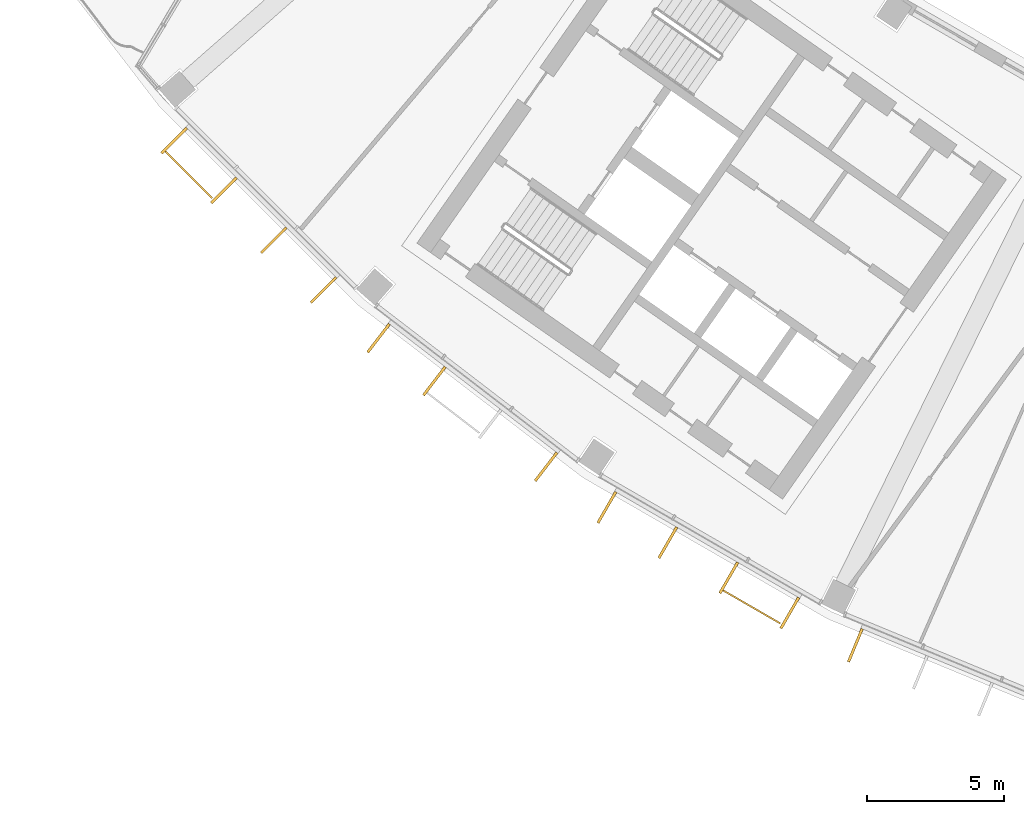
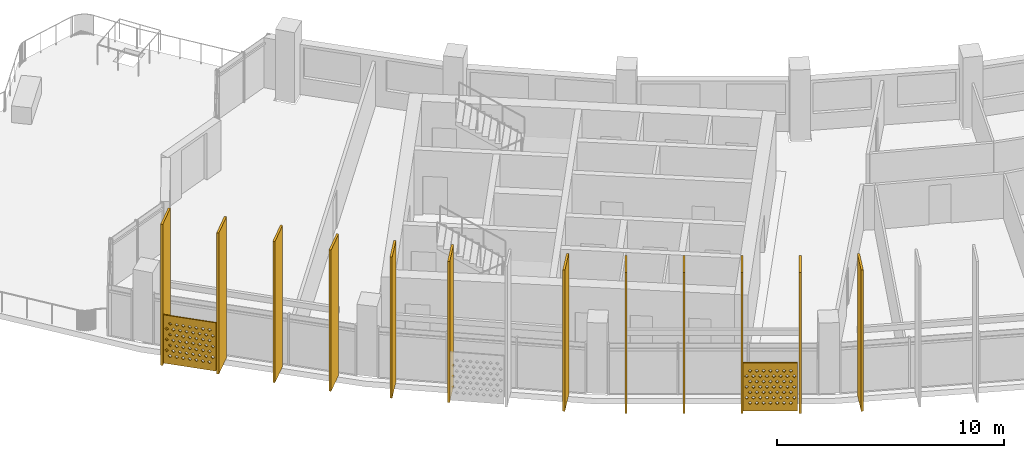
# One storey, part 21 of 29: 14 shading devices.
"""IFC4 building model written with IfcOpenShell, lengths in metres."""

from ifc_helpers import new_model, si_unit, direction, frame, origin, origin_2d, place, context, subcontext, project, spatial, polyline, rectangle, outline, extrude, material, material_profile, profile_set, type_object, element, save


model = new_model("IFC4")

# Units and contexts
model_context = context("Model", 3, precision=1e-05, world=origin(), true_north=direction((0.0, 1.0)))
body_context = subcontext(model_context, "Body", "Model", "MODEL_VIEW")
ifc_project = project(units=[si_unit("LENGTHUNIT", "METRE"), si_unit("AREAUNIT", "SQUARE_METRE"), si_unit("VOLUMEUNIT", "CUBIC_METRE"), si_unit("PLANEANGLEUNIT", "RADIAN"), si_unit("MASSUNIT", "GRAM", prefix="KILO")], contexts=[model_context])

# Site, building, storey
site_placement = place(None, origin())
site = spatial("IfcSite", under=ifc_project, at=site_placement, CompositionType="ELEMENT")
building_placement = place(site_placement, origin())
building = spatial("IfcBuilding", under=site, at=building_placement, Name="Qamariyya Broadcast Tower", CompositionType="ELEMENT")
storey_placement = place(building_placement, frame((0.0, 0.0, 258.10009765625)))
storey = spatial("IfcBuildingStorey", under=building, at=storey_placement, Name="L62", CompositionType="ELEMENT", Elevation=258.10009765625)

# Shading devices
ifc_material_1 = material(Name="Perforated glazed terracotta", Category="masonry")
ifc_material_profile_1 = material_profile(ifc_material_1, outline(polyline([(-1.199951171875, -1.300048828125), (1.199951171875, -1.300048828125), (1.199951171875, 1.300048828125), (-1.199951171875, 1.300048828125), (-1.199951171875, -1.300048828125)]), holes=[polyline([(-0.81494140625, -0.86669921875), (-0.89990234375, -0.78173828125), (-0.985107421875, -0.86669921875), (-0.89990234375, -0.95166015625), (-0.81494140625, -0.86669921875)]), polyline([(-0.514892578125, -0.86669921875), (-0.60009765625, -0.78173828125), (-0.68505859375, -0.86669921875), (-0.60009765625, -0.95166015625), (-0.514892578125, -0.86669921875)]), polyline([(-0.215087890625, -0.86669921875), (-0.300048828125, -0.78173828125), (-0.385009765625, -0.86669921875), (-0.300048828125, -0.95166015625), (-0.215087890625, -0.86669921875)]), polyline([(0.0849609375, -0.86669921875), (0.0, -0.78173828125), (-0.0849609375, -0.86669921875), (0.0, -0.95166015625), (0.0849609375, -0.86669921875)]), polyline([(0.385009765625, -0.86669921875), (0.300048828125, -0.78173828125), (0.215087890625, -0.86669921875), (0.300048828125, -0.95166015625), (0.385009765625, -0.86669921875)]), polyline([(0.68505859375, -0.86669921875), (0.60009765625, -0.78173828125), (0.514892578125, -0.86669921875), (0.60009765625, -0.95166015625), (0.68505859375, -0.86669921875)]), polyline([(0.985107421875, -0.86669921875), (0.89990234375, -0.78173828125), (0.81494140625, -0.86669921875), (0.89990234375, -0.95166015625), (0.985107421875, -0.86669921875)]), polyline([(-0.965087890625, -0.577880859375), (-1.050048828125, -0.49267578125), (-1.135009765625, -0.577880859375), (-1.050048828125, -0.662841796875), (-0.965087890625, -0.577880859375)]), polyline([(-0.6650390625, -0.577880859375), (-0.75, -0.49267578125), (-0.8349609375, -0.577880859375), (-0.75, -0.662841796875), (-0.6650390625, -0.577880859375)]), polyline([(-0.364990234375, -0.577880859375), (-0.449951171875, -0.49267578125), (-0.534912109375, -0.577880859375), (-0.449951171875, -0.662841796875), (-0.364990234375, -0.577880859375)]), polyline([(-0.06494140625, -0.577880859375), (-0.14990234375, -0.49267578125), (-0.235107421875, -0.577880859375), (-0.14990234375, -0.662841796875), (-0.06494140625, -0.577880859375)]), polyline([(0.235107421875, -0.577880859375), (0.14990234375, -0.49267578125), (0.06494140625, -0.577880859375), (0.14990234375, -0.662841796875), (0.235107421875, -0.577880859375)]), polyline([(0.534912109375, -0.577880859375), (0.449951171875, -0.49267578125), (0.364990234375, -0.577880859375), (0.449951171875, -0.662841796875), (0.534912109375, -0.577880859375)]), polyline([(0.8349609375, -0.577880859375), (0.75, -0.49267578125), (0.6650390625, -0.577880859375), (0.75, -0.662841796875), (0.8349609375, -0.577880859375)]), polyline([(1.135009765625, -0.577880859375), (1.050048828125, -0.49267578125), (0.965087890625, -0.577880859375), (1.050048828125, -0.662841796875), (1.135009765625, -0.577880859375)]), polyline([(-0.81494140625, -0.288818359375), (-0.89990234375, -0.203857421875), (-0.985107421875, -0.288818359375), (-0.89990234375, -0.373779296875), (-0.81494140625, -0.288818359375)]), polyline([(-0.514892578125, -0.288818359375), (-0.60009765625, -0.203857421875), (-0.68505859375, -0.288818359375), (-0.60009765625, -0.373779296875), (-0.514892578125, -0.288818359375)]), polyline([(-0.215087890625, -0.288818359375), (-0.300048828125, -0.203857421875), (-0.385009765625, -0.288818359375), (-0.300048828125, -0.373779296875), (-0.215087890625, -0.288818359375)]), polyline([(0.0849609375, -0.288818359375), (0.0, -0.203857421875), (-0.0849609375, -0.288818359375), (0.0, -0.373779296875), (0.0849609375, -0.288818359375)]), polyline([(0.385009765625, -0.288818359375), (0.300048828125, -0.203857421875), (0.215087890625, -0.288818359375), (0.300048828125, -0.373779296875), (0.385009765625, -0.288818359375)]), polyline([(0.68505859375, -0.288818359375), (0.60009765625, -0.203857421875), (0.514892578125, -0.288818359375), (0.60009765625, -0.373779296875), (0.68505859375, -0.288818359375)]), polyline([(0.985107421875, -0.288818359375), (0.89990234375, -0.203857421875), (0.81494140625, -0.288818359375), (0.89990234375, -0.373779296875), (0.985107421875, -0.288818359375)]), polyline([(-0.965087890625, 0.0), (-1.050048828125, 0.0849609375), (-1.135009765625, 0.0), (-1.050048828125, -0.0849609375), (-0.965087890625, 0.0)]), polyline([(-0.6650390625, 0.0), (-0.75, 0.0849609375), (-0.8349609375, 0.0), (-0.75, -0.0849609375), (-0.6650390625, 0.0)]), polyline([(-0.364990234375, 0.0), (-0.449951171875, 0.0849609375), (-0.534912109375, 0.0), (-0.449951171875, -0.0849609375), (-0.364990234375, 0.0)]), polyline([(-0.06494140625, 0.0), (-0.14990234375, 0.0849609375), (-0.235107421875, 0.0), (-0.14990234375, -0.0849609375), (-0.06494140625, 0.0)]), polyline([(0.235107421875, 0.0), (0.14990234375, 0.0849609375), (0.06494140625, 0.0), (0.14990234375, -0.0849609375), (0.235107421875, 0.0)]), polyline([(0.534912109375, 0.0), (0.449951171875, 0.0849609375), (0.364990234375, 0.0), (0.449951171875, -0.0849609375), (0.534912109375, 0.0)]), polyline([(0.8349609375, 0.0), (0.75, 0.0849609375), (0.6650390625, 0.0), (0.75, -0.0849609375), (0.8349609375, 0.0)]), polyline([(1.135009765625, 0.0), (1.050048828125, 0.0849609375), (0.965087890625, 0.0), (1.050048828125, -0.0849609375), (1.135009765625, 0.0)]), polyline([(-0.81494140625, 0.288818359375), (-0.89990234375, 0.373779296875), (-0.985107421875, 0.288818359375), (-0.89990234375, 0.203857421875), (-0.81494140625, 0.288818359375)]), polyline([(-0.514892578125, 0.288818359375), (-0.60009765625, 0.373779296875), (-0.68505859375, 0.288818359375), (-0.60009765625, 0.203857421875), (-0.514892578125, 0.288818359375)]), polyline([(-0.215087890625, 0.288818359375), (-0.300048828125, 0.373779296875), (-0.385009765625, 0.288818359375), (-0.300048828125, 0.203857421875), (-0.215087890625, 0.288818359375)]), polyline([(0.0849609375, 0.288818359375), (0.0, 0.373779296875), (-0.0849609375, 0.288818359375), (0.0, 0.203857421875), (0.0849609375, 0.288818359375)]), polyline([(0.385009765625, 0.288818359375), (0.300048828125, 0.373779296875), (0.215087890625, 0.288818359375), (0.300048828125, 0.203857421875), (0.385009765625, 0.288818359375)]), polyline([(0.68505859375, 0.288818359375), (0.60009765625, 0.373779296875), (0.514892578125, 0.288818359375), (0.60009765625, 0.203857421875), (0.68505859375, 0.288818359375)]), polyline([(0.985107421875, 0.288818359375), (0.89990234375, 0.373779296875), (0.81494140625, 0.288818359375), (0.89990234375, 0.203857421875), (0.985107421875, 0.288818359375)]), polyline([(-0.965087890625, 0.577880859375), (-1.050048828125, 0.662841796875), (-1.135009765625, 0.577880859375), (-1.050048828125, 0.49267578125), (-0.965087890625, 0.577880859375)]), polyline([(-0.6650390625, 0.577880859375), (-0.75, 0.662841796875), (-0.8349609375, 0.577880859375), (-0.75, 0.49267578125), (-0.6650390625, 0.577880859375)]), polyline([(-0.364990234375, 0.577880859375), (-0.449951171875, 0.662841796875), (-0.534912109375, 0.577880859375), (-0.449951171875, 0.49267578125), (-0.364990234375, 0.577880859375)]), polyline([(-0.06494140625, 0.577880859375), (-0.14990234375, 0.662841796875), (-0.235107421875, 0.577880859375), (-0.14990234375, 0.49267578125), (-0.06494140625, 0.577880859375)]), polyline([(0.235107421875, 0.577880859375), (0.14990234375, 0.662841796875), (0.06494140625, 0.577880859375), (0.14990234375, 0.49267578125), (0.235107421875, 0.577880859375)]), polyline([(0.534912109375, 0.577880859375), (0.449951171875, 0.662841796875), (0.364990234375, 0.577880859375), (0.449951171875, 0.49267578125), (0.534912109375, 0.577880859375)]), polyline([(0.8349609375, 0.577880859375), (0.75, 0.662841796875), (0.6650390625, 0.577880859375), (0.75, 0.49267578125), (0.8349609375, 0.577880859375)]), polyline([(1.135009765625, 0.577880859375), (1.050048828125, 0.662841796875), (0.965087890625, 0.577880859375), (1.050048828125, 0.49267578125), (1.135009765625, 0.577880859375)]), polyline([(-0.81494140625, 0.86669921875), (-0.89990234375, 0.95166015625), (-0.985107421875, 0.86669921875), (-0.89990234375, 0.78173828125), (-0.81494140625, 0.86669921875)]), polyline([(-0.514892578125, 0.86669921875), (-0.60009765625, 0.95166015625), (-0.68505859375, 0.86669921875), (-0.60009765625, 0.78173828125), (-0.514892578125, 0.86669921875)]), polyline([(-0.215087890625, 0.86669921875), (-0.300048828125, 0.95166015625), (-0.385009765625, 0.86669921875), (-0.300048828125, 0.78173828125), (-0.215087890625, 0.86669921875)]), polyline([(0.0849609375, 0.86669921875), (0.0, 0.95166015625), (-0.0849609375, 0.86669921875), (0.0, 0.78173828125), (0.0849609375, 0.86669921875)]), polyline([(0.385009765625, 0.86669921875), (0.300048828125, 0.95166015625), (0.215087890625, 0.86669921875), (0.300048828125, 0.78173828125), (0.385009765625, 0.86669921875)]), polyline([(0.68505859375, 0.86669921875), (0.60009765625, 0.95166015625), (0.514892578125, 0.86669921875), (0.60009765625, 0.78173828125), (0.68505859375, 0.86669921875)]), polyline([(0.985107421875, 0.86669921875), (0.89990234375, 0.95166015625), (0.81494140625, 0.86669921875), (0.89990234375, 0.78173828125), (0.985107421875, 0.86669921875)])]))
ifc_profile_set_1 = profile_set([ifc_material_profile_1], Name="Perforated glazed terracotta")
shading_device_type_1 = type_object("IfcShadingDeviceType", Name="Perforated terracotta screen 2400 x 2600", PredefinedType="USERDEFINED", material=ifc_profile_set_1)
shading_device_1_placement = place(storey_placement, frame((-58.014892578125, -54.347412109375, 1.349853515625), z_axis=(-0.707106781187, -0.707106781187, 0.0), x_axis=(0.707106781187, -0.707106781187, 0.0)))
element("IfcShadingDevice", 1, at=shading_device_1_placement, inside=storey, type_object=shading_device_type_1, Name="e-scr-L62-01-0", ObjectType="SCREEN", PredefinedType="USERDEFINED", context=body_context, shape_type="SweptSolid", body=[
    extrude(outline(polyline([(-1.199951171875, -1.300048828125), (1.199951171875, -1.300048828125), (1.199951171875, 1.300048828125), (-1.199951171875, 1.300048828125), (-1.199951171875, -1.300048828125)]), holes=[polyline([(-0.81494140625, -0.86669921875), (-0.89990234375, -0.78173828125), (-0.985107421875, -0.86669921875), (-0.89990234375, -0.95166015625), (-0.81494140625, -0.86669921875)]), polyline([(-0.514892578125, -0.86669921875), (-0.60009765625, -0.78173828125), (-0.68505859375, -0.86669921875), (-0.60009765625, -0.95166015625), (-0.514892578125, -0.86669921875)]), polyline([(-0.215087890625, -0.86669921875), (-0.300048828125, -0.78173828125), (-0.385009765625, -0.86669921875), (-0.300048828125, -0.95166015625), (-0.215087890625, -0.86669921875)]), polyline([(0.0849609375, -0.86669921875), (0.0, -0.78173828125), (-0.0849609375, -0.86669921875), (0.0, -0.95166015625), (0.0849609375, -0.86669921875)]), polyline([(0.385009765625, -0.86669921875), (0.300048828125, -0.78173828125), (0.215087890625, -0.86669921875), (0.300048828125, -0.95166015625), (0.385009765625, -0.86669921875)]), polyline([(0.68505859375, -0.86669921875), (0.60009765625, -0.78173828125), (0.514892578125, -0.86669921875), (0.60009765625, -0.95166015625), (0.68505859375, -0.86669921875)]), polyline([(0.985107421875, -0.86669921875), (0.89990234375, -0.78173828125), (0.81494140625, -0.86669921875), (0.89990234375, -0.95166015625), (0.985107421875, -0.86669921875)]), polyline([(-0.965087890625, -0.577880859375), (-1.050048828125, -0.49267578125), (-1.135009765625, -0.577880859375), (-1.050048828125, -0.662841796875), (-0.965087890625, -0.577880859375)]), polyline([(-0.6650390625, -0.577880859375), (-0.75, -0.49267578125), (-0.8349609375, -0.577880859375), (-0.75, -0.662841796875), (-0.6650390625, -0.577880859375)]), polyline([(-0.364990234375, -0.577880859375), (-0.449951171875, -0.49267578125), (-0.534912109375, -0.577880859375), (-0.449951171875, -0.662841796875), (-0.364990234375, -0.577880859375)]), polyline([(-0.06494140625, -0.577880859375), (-0.14990234375, -0.49267578125), (-0.235107421875, -0.577880859375), (-0.14990234375, -0.662841796875), (-0.06494140625, -0.577880859375)]), polyline([(0.235107421875, -0.577880859375), (0.14990234375, -0.49267578125), (0.06494140625, -0.577880859375), (0.14990234375, -0.662841796875), (0.235107421875, -0.577880859375)]), polyline([(0.534912109375, -0.577880859375), (0.449951171875, -0.49267578125), (0.364990234375, -0.577880859375), (0.449951171875, -0.662841796875), (0.534912109375, -0.577880859375)]), polyline([(0.8349609375, -0.577880859375), (0.75, -0.49267578125), (0.6650390625, -0.577880859375), (0.75, -0.662841796875), (0.8349609375, -0.577880859375)]), polyline([(1.135009765625, -0.577880859375), (1.050048828125, -0.49267578125), (0.965087890625, -0.577880859375), (1.050048828125, -0.662841796875), (1.135009765625, -0.577880859375)]), polyline([(-0.81494140625, -0.288818359375), (-0.89990234375, -0.203857421875), (-0.985107421875, -0.288818359375), (-0.89990234375, -0.373779296875), (-0.81494140625, -0.288818359375)]), polyline([(-0.514892578125, -0.288818359375), (-0.60009765625, -0.203857421875), (-0.68505859375, -0.288818359375), (-0.60009765625, -0.373779296875), (-0.514892578125, -0.288818359375)]), polyline([(-0.215087890625, -0.288818359375), (-0.300048828125, -0.203857421875), (-0.385009765625, -0.288818359375), (-0.300048828125, -0.373779296875), (-0.215087890625, -0.288818359375)]), polyline([(0.0849609375, -0.288818359375), (0.0, -0.203857421875), (-0.0849609375, -0.288818359375), (0.0, -0.373779296875), (0.0849609375, -0.288818359375)]), polyline([(0.385009765625, -0.288818359375), (0.300048828125, -0.203857421875), (0.215087890625, -0.288818359375), (0.300048828125, -0.373779296875), (0.385009765625, -0.288818359375)]), polyline([(0.68505859375, -0.288818359375), (0.60009765625, -0.203857421875), (0.514892578125, -0.288818359375), (0.60009765625, -0.373779296875), (0.68505859375, -0.288818359375)]), polyline([(0.985107421875, -0.288818359375), (0.89990234375, -0.203857421875), (0.81494140625, -0.288818359375), (0.89990234375, -0.373779296875), (0.985107421875, -0.288818359375)]), polyline([(-0.965087890625, 0.0), (-1.050048828125, 0.0849609375), (-1.135009765625, 0.0), (-1.050048828125, -0.0849609375), (-0.965087890625, 0.0)]), polyline([(-0.6650390625, 0.0), (-0.75, 0.0849609375), (-0.8349609375, 0.0), (-0.75, -0.0849609375), (-0.6650390625, 0.0)]), polyline([(-0.364990234375, 0.0), (-0.449951171875, 0.0849609375), (-0.534912109375, 0.0), (-0.449951171875, -0.0849609375), (-0.364990234375, 0.0)]), polyline([(-0.06494140625, 0.0), (-0.14990234375, 0.0849609375), (-0.235107421875, 0.0), (-0.14990234375, -0.0849609375), (-0.06494140625, 0.0)]), polyline([(0.235107421875, 0.0), (0.14990234375, 0.0849609375), (0.06494140625, 0.0), (0.14990234375, -0.0849609375), (0.235107421875, 0.0)]), polyline([(0.534912109375, 0.0), (0.449951171875, 0.0849609375), (0.364990234375, 0.0), (0.449951171875, -0.0849609375), (0.534912109375, 0.0)]), polyline([(0.8349609375, 0.0), (0.75, 0.0849609375), (0.6650390625, 0.0), (0.75, -0.0849609375), (0.8349609375, 0.0)]), polyline([(1.135009765625, 0.0), (1.050048828125, 0.0849609375), (0.965087890625, 0.0), (1.050048828125, -0.0849609375), (1.135009765625, 0.0)]), polyline([(-0.81494140625, 0.288818359375), (-0.89990234375, 0.373779296875), (-0.985107421875, 0.288818359375), (-0.89990234375, 0.203857421875), (-0.81494140625, 0.288818359375)]), polyline([(-0.514892578125, 0.288818359375), (-0.60009765625, 0.373779296875), (-0.68505859375, 0.288818359375), (-0.60009765625, 0.203857421875), (-0.514892578125, 0.288818359375)]), polyline([(-0.215087890625, 0.288818359375), (-0.300048828125, 0.373779296875), (-0.385009765625, 0.288818359375), (-0.300048828125, 0.203857421875), (-0.215087890625, 0.288818359375)]), polyline([(0.0849609375, 0.288818359375), (0.0, 0.373779296875), (-0.0849609375, 0.288818359375), (0.0, 0.203857421875), (0.0849609375, 0.288818359375)]), polyline([(0.385009765625, 0.288818359375), (0.300048828125, 0.373779296875), (0.215087890625, 0.288818359375), (0.300048828125, 0.203857421875), (0.385009765625, 0.288818359375)]), polyline([(0.68505859375, 0.288818359375), (0.60009765625, 0.373779296875), (0.514892578125, 0.288818359375), (0.60009765625, 0.203857421875), (0.68505859375, 0.288818359375)]), polyline([(0.985107421875, 0.288818359375), (0.89990234375, 0.373779296875), (0.81494140625, 0.288818359375), (0.89990234375, 0.203857421875), (0.985107421875, 0.288818359375)]), polyline([(-0.965087890625, 0.577880859375), (-1.050048828125, 0.662841796875), (-1.135009765625, 0.577880859375), (-1.050048828125, 0.49267578125), (-0.965087890625, 0.577880859375)]), polyline([(-0.6650390625, 0.577880859375), (-0.75, 0.662841796875), (-0.8349609375, 0.577880859375), (-0.75, 0.49267578125), (-0.6650390625, 0.577880859375)]), polyline([(-0.364990234375, 0.577880859375), (-0.449951171875, 0.662841796875), (-0.534912109375, 0.577880859375), (-0.449951171875, 0.49267578125), (-0.364990234375, 0.577880859375)]), polyline([(-0.06494140625, 0.577880859375), (-0.14990234375, 0.662841796875), (-0.235107421875, 0.577880859375), (-0.14990234375, 0.49267578125), (-0.06494140625, 0.577880859375)]), polyline([(0.235107421875, 0.577880859375), (0.14990234375, 0.662841796875), (0.06494140625, 0.577880859375), (0.14990234375, 0.49267578125), (0.235107421875, 0.577880859375)]), polyline([(0.534912109375, 0.577880859375), (0.449951171875, 0.662841796875), (0.364990234375, 0.577880859375), (0.449951171875, 0.49267578125), (0.534912109375, 0.577880859375)]), polyline([(0.8349609375, 0.577880859375), (0.75, 0.662841796875), (0.6650390625, 0.577880859375), (0.75, 0.49267578125), (0.8349609375, 0.577880859375)]), polyline([(1.135009765625, 0.577880859375), (1.050048828125, 0.662841796875), (0.965087890625, 0.577880859375), (1.050048828125, 0.49267578125), (1.135009765625, 0.577880859375)]), polyline([(-0.81494140625, 0.86669921875), (-0.89990234375, 0.95166015625), (-0.985107421875, 0.86669921875), (-0.89990234375, 0.78173828125), (-0.81494140625, 0.86669921875)]), polyline([(-0.514892578125, 0.86669921875), (-0.60009765625, 0.95166015625), (-0.68505859375, 0.86669921875), (-0.60009765625, 0.78173828125), (-0.514892578125, 0.86669921875)]), polyline([(-0.215087890625, 0.86669921875), (-0.300048828125, 0.95166015625), (-0.385009765625, 0.86669921875), (-0.300048828125, 0.78173828125), (-0.215087890625, 0.86669921875)]), polyline([(0.0849609375, 0.86669921875), (0.0, 0.95166015625), (-0.0849609375, 0.86669921875), (0.0, 0.78173828125), (0.0849609375, 0.86669921875)]), polyline([(0.385009765625, 0.86669921875), (0.300048828125, 0.95166015625), (0.215087890625, 0.86669921875), (0.300048828125, 0.78173828125), (0.385009765625, 0.86669921875)]), polyline([(0.68505859375, 0.86669921875), (0.60009765625, 0.95166015625), (0.514892578125, 0.86669921875), (0.60009765625, 0.78173828125), (0.68505859375, 0.86669921875)]), polyline([(0.985107421875, 0.86669921875), (0.89990234375, 0.95166015625), (0.81494140625, 0.86669921875), (0.89990234375, 0.78173828125), (0.985107421875, 0.86669921875)])]), origin(), (0.0, 0.0, 1.0), 0.06005859375),
])
shading_device_2_placement = place(storey_placement, frame((-37.5341796875, -70.0732421875, 1.349853515625), z_axis=(-0.500074377092, -0.865982457891, 0.0), x_axis=(0.865982457891, -0.500074377092, 0.0)))
element("IfcShadingDevice", 2, at=shading_device_2_placement, inside=storey, type_object=shading_device_type_1, Name="e-scr-L62-03-2", ObjectType="SCREEN", PredefinedType="USERDEFINED", context=body_context, shape_type="SweptSolid", body=[
    extrude(outline(polyline([(-1.199951171875, -1.300048828125), (1.199951171875, -1.300048828125), (1.199951171875, 1.300048828125), (-1.199951171875, 1.300048828125), (-1.199951171875, -1.300048828125)]), holes=[polyline([(-0.81494140625, -0.86669921875), (-0.89990234375, -0.78173828125), (-0.985107421875, -0.86669921875), (-0.89990234375, -0.95166015625), (-0.81494140625, -0.86669921875)]), polyline([(-0.514892578125, -0.86669921875), (-0.60009765625, -0.78173828125), (-0.68505859375, -0.86669921875), (-0.60009765625, -0.95166015625), (-0.514892578125, -0.86669921875)]), polyline([(-0.215087890625, -0.86669921875), (-0.300048828125, -0.78173828125), (-0.385009765625, -0.86669921875), (-0.300048828125, -0.95166015625), (-0.215087890625, -0.86669921875)]), polyline([(0.0849609375, -0.86669921875), (0.0, -0.78173828125), (-0.0849609375, -0.86669921875), (0.0, -0.95166015625), (0.0849609375, -0.86669921875)]), polyline([(0.385009765625, -0.86669921875), (0.300048828125, -0.78173828125), (0.215087890625, -0.86669921875), (0.300048828125, -0.95166015625), (0.385009765625, -0.86669921875)]), polyline([(0.68505859375, -0.86669921875), (0.60009765625, -0.78173828125), (0.514892578125, -0.86669921875), (0.60009765625, -0.95166015625), (0.68505859375, -0.86669921875)]), polyline([(0.985107421875, -0.86669921875), (0.89990234375, -0.78173828125), (0.81494140625, -0.86669921875), (0.89990234375, -0.95166015625), (0.985107421875, -0.86669921875)]), polyline([(-0.965087890625, -0.577880859375), (-1.050048828125, -0.49267578125), (-1.135009765625, -0.577880859375), (-1.050048828125, -0.662841796875), (-0.965087890625, -0.577880859375)]), polyline([(-0.6650390625, -0.577880859375), (-0.75, -0.49267578125), (-0.8349609375, -0.577880859375), (-0.75, -0.662841796875), (-0.6650390625, -0.577880859375)]), polyline([(-0.364990234375, -0.577880859375), (-0.449951171875, -0.49267578125), (-0.534912109375, -0.577880859375), (-0.449951171875, -0.662841796875), (-0.364990234375, -0.577880859375)]), polyline([(-0.06494140625, -0.577880859375), (-0.14990234375, -0.49267578125), (-0.235107421875, -0.577880859375), (-0.14990234375, -0.662841796875), (-0.06494140625, -0.577880859375)]), polyline([(0.235107421875, -0.577880859375), (0.14990234375, -0.49267578125), (0.06494140625, -0.577880859375), (0.14990234375, -0.662841796875), (0.235107421875, -0.577880859375)]), polyline([(0.534912109375, -0.577880859375), (0.449951171875, -0.49267578125), (0.364990234375, -0.577880859375), (0.449951171875, -0.662841796875), (0.534912109375, -0.577880859375)]), polyline([(0.8349609375, -0.577880859375), (0.75, -0.49267578125), (0.6650390625, -0.577880859375), (0.75, -0.662841796875), (0.8349609375, -0.577880859375)]), polyline([(1.135009765625, -0.577880859375), (1.050048828125, -0.49267578125), (0.965087890625, -0.577880859375), (1.050048828125, -0.662841796875), (1.135009765625, -0.577880859375)]), polyline([(-0.81494140625, -0.288818359375), (-0.89990234375, -0.203857421875), (-0.985107421875, -0.288818359375), (-0.89990234375, -0.373779296875), (-0.81494140625, -0.288818359375)]), polyline([(-0.514892578125, -0.288818359375), (-0.60009765625, -0.203857421875), (-0.68505859375, -0.288818359375), (-0.60009765625, -0.373779296875), (-0.514892578125, -0.288818359375)]), polyline([(-0.215087890625, -0.288818359375), (-0.300048828125, -0.203857421875), (-0.385009765625, -0.288818359375), (-0.300048828125, -0.373779296875), (-0.215087890625, -0.288818359375)]), polyline([(0.0849609375, -0.288818359375), (0.0, -0.203857421875), (-0.0849609375, -0.288818359375), (0.0, -0.373779296875), (0.0849609375, -0.288818359375)]), polyline([(0.385009765625, -0.288818359375), (0.300048828125, -0.203857421875), (0.215087890625, -0.288818359375), (0.300048828125, -0.373779296875), (0.385009765625, -0.288818359375)]), polyline([(0.68505859375, -0.288818359375), (0.60009765625, -0.203857421875), (0.514892578125, -0.288818359375), (0.60009765625, -0.373779296875), (0.68505859375, -0.288818359375)]), polyline([(0.985107421875, -0.288818359375), (0.89990234375, -0.203857421875), (0.81494140625, -0.288818359375), (0.89990234375, -0.373779296875), (0.985107421875, -0.288818359375)]), polyline([(-0.965087890625, 0.0), (-1.050048828125, 0.0849609375), (-1.135009765625, 0.0), (-1.050048828125, -0.0849609375), (-0.965087890625, 0.0)]), polyline([(-0.6650390625, 0.0), (-0.75, 0.0849609375), (-0.8349609375, 0.0), (-0.75, -0.0849609375), (-0.6650390625, 0.0)]), polyline([(-0.364990234375, 0.0), (-0.449951171875, 0.0849609375), (-0.534912109375, 0.0), (-0.449951171875, -0.0849609375), (-0.364990234375, 0.0)]), polyline([(-0.06494140625, 0.0), (-0.14990234375, 0.0849609375), (-0.235107421875, 0.0), (-0.14990234375, -0.0849609375), (-0.06494140625, 0.0)]), polyline([(0.235107421875, 0.0), (0.14990234375, 0.0849609375), (0.06494140625, 0.0), (0.14990234375, -0.0849609375), (0.235107421875, 0.0)]), polyline([(0.534912109375, 0.0), (0.449951171875, 0.0849609375), (0.364990234375, 0.0), (0.449951171875, -0.0849609375), (0.534912109375, 0.0)]), polyline([(0.8349609375, 0.0), (0.75, 0.0849609375), (0.6650390625, 0.0), (0.75, -0.0849609375), (0.8349609375, 0.0)]), polyline([(1.135009765625, 0.0), (1.050048828125, 0.0849609375), (0.965087890625, 0.0), (1.050048828125, -0.0849609375), (1.135009765625, 0.0)]), polyline([(-0.81494140625, 0.288818359375), (-0.89990234375, 0.373779296875), (-0.985107421875, 0.288818359375), (-0.89990234375, 0.203857421875), (-0.81494140625, 0.288818359375)]), polyline([(-0.514892578125, 0.288818359375), (-0.60009765625, 0.373779296875), (-0.68505859375, 0.288818359375), (-0.60009765625, 0.203857421875), (-0.514892578125, 0.288818359375)]), polyline([(-0.215087890625, 0.288818359375), (-0.300048828125, 0.373779296875), (-0.385009765625, 0.288818359375), (-0.300048828125, 0.203857421875), (-0.215087890625, 0.288818359375)]), polyline([(0.0849609375, 0.288818359375), (0.0, 0.373779296875), (-0.0849609375, 0.288818359375), (0.0, 0.203857421875), (0.0849609375, 0.288818359375)]), polyline([(0.385009765625, 0.288818359375), (0.300048828125, 0.373779296875), (0.215087890625, 0.288818359375), (0.300048828125, 0.203857421875), (0.385009765625, 0.288818359375)]), polyline([(0.68505859375, 0.288818359375), (0.60009765625, 0.373779296875), (0.514892578125, 0.288818359375), (0.60009765625, 0.203857421875), (0.68505859375, 0.288818359375)]), polyline([(0.985107421875, 0.288818359375), (0.89990234375, 0.373779296875), (0.81494140625, 0.288818359375), (0.89990234375, 0.203857421875), (0.985107421875, 0.288818359375)]), polyline([(-0.965087890625, 0.577880859375), (-1.050048828125, 0.662841796875), (-1.135009765625, 0.577880859375), (-1.050048828125, 0.49267578125), (-0.965087890625, 0.577880859375)]), polyline([(-0.6650390625, 0.577880859375), (-0.75, 0.662841796875), (-0.8349609375, 0.577880859375), (-0.75, 0.49267578125), (-0.6650390625, 0.577880859375)]), polyline([(-0.364990234375, 0.577880859375), (-0.449951171875, 0.662841796875), (-0.534912109375, 0.577880859375), (-0.449951171875, 0.49267578125), (-0.364990234375, 0.577880859375)]), polyline([(-0.06494140625, 0.577880859375), (-0.14990234375, 0.662841796875), (-0.235107421875, 0.577880859375), (-0.14990234375, 0.49267578125), (-0.06494140625, 0.577880859375)]), polyline([(0.235107421875, 0.577880859375), (0.14990234375, 0.662841796875), (0.06494140625, 0.577880859375), (0.14990234375, 0.49267578125), (0.235107421875, 0.577880859375)]), polyline([(0.534912109375, 0.577880859375), (0.449951171875, 0.662841796875), (0.364990234375, 0.577880859375), (0.449951171875, 0.49267578125), (0.534912109375, 0.577880859375)]), polyline([(0.8349609375, 0.577880859375), (0.75, 0.662841796875), (0.6650390625, 0.577880859375), (0.75, 0.49267578125), (0.8349609375, 0.577880859375)]), polyline([(1.135009765625, 0.577880859375), (1.050048828125, 0.662841796875), (0.965087890625, 0.577880859375), (1.050048828125, 0.49267578125), (1.135009765625, 0.577880859375)]), polyline([(-0.81494140625, 0.86669921875), (-0.89990234375, 0.95166015625), (-0.985107421875, 0.86669921875), (-0.89990234375, 0.78173828125), (-0.81494140625, 0.86669921875)]), polyline([(-0.514892578125, 0.86669921875), (-0.60009765625, 0.95166015625), (-0.68505859375, 0.86669921875), (-0.60009765625, 0.78173828125), (-0.514892578125, 0.86669921875)]), polyline([(-0.215087890625, 0.86669921875), (-0.300048828125, 0.95166015625), (-0.385009765625, 0.86669921875), (-0.300048828125, 0.78173828125), (-0.215087890625, 0.86669921875)]), polyline([(0.0849609375, 0.86669921875), (0.0, 0.95166015625), (-0.0849609375, 0.86669921875), (0.0, 0.78173828125), (0.0849609375, 0.86669921875)]), polyline([(0.385009765625, 0.86669921875), (0.300048828125, 0.95166015625), (0.215087890625, 0.86669921875), (0.300048828125, 0.78173828125), (0.385009765625, 0.86669921875)]), polyline([(0.68505859375, 0.86669921875), (0.60009765625, 0.95166015625), (0.514892578125, 0.86669921875), (0.60009765625, 0.78173828125), (0.68505859375, 0.86669921875)]), polyline([(0.985107421875, 0.86669921875), (0.89990234375, 0.95166015625), (0.81494140625, 0.86669921875), (0.89990234375, 0.78173828125), (0.985107421875, 0.86669921875)])]), origin(), (0.0, 0.0, 1.0), 0.06005859375),
])
ifc_material_2 = material(Name="Glazed terracotta", Category="masonry")
ifc_material_profile_2 = material_profile(ifc_material_2, rectangle(XDim=1.300048828125, YDim=0.10009765625, at=origin_2d()))
ifc_profile_set_2 = profile_set([ifc_material_profile_2], Name="Glazed terracotta")
shading_device_type_2 = type_object("IfcShadingDeviceType", Name="Terracotta fin 100 x 1300", PredefinedType="USERDEFINED", material=ifc_profile_set_2)
for number, where, z_axis, x_axis, name in (
    (3, (-58.56640625, -53.13134765625, 0.0), (0.0, 0.0, 1.0), (-0.707106781187, -0.707106781187, 0.0), "e-fin-L62-01-0"),
    (4, (-56.754638671875, -54.943115234375, 0.0), (0.0, 0.0, 1.0), (-0.707106781187, -0.707106781187, 0.0), "e-fin-L62-01-1"),
    (5, (-54.943115234375, -56.754638671875, 0.0), (0.0, 0.0, 1.0), (-0.707106781187, -0.707106781187, 0.0), "e-fin-L62-01-2"),
    (6, (-53.13134765625, -58.56640625, 0.0), (0.0, 0.0, 1.0), (-0.707106781187, -0.707106781187, 0.0), "e-fin-L62-01-3"),
    (7, (-51.13037109375, -60.3212890625, 0.0), (0.0, 0.0, 1.0), (-0.608761429009, -0.793353340291, 0.0), "e-fin-L62-02-0"),
    (8, (-49.09765625, -61.880859375, 0.0), (0.0, 0.0, 1.0), (-0.608761429009, -0.793353340291, 0.0), "e-fin-L62-02-1"),
    (9, (-45.0322265625, -65.00048828125, 0.0), (0.0, 0.0, 1.0), (-0.608761429009, -0.793353340291, 0.0), "e-fin-L62-02-3"),
    (10, (-42.819580078125, -66.47900390625, 0.0), (0.0, 0.0, 1.0), (-0.5, -0.866025403784, 0.0), "e-fin-L62-03-0"),
    (11, (-40.6005859375, -67.760009765625, 0.0), (0.0, 0.0, 1.0), (-0.5, -0.866025403784, 0.0), "e-fin-L62-03-1"),
    (12, (-38.381591796875, -69.041259765625, 0.0), (0.0, 0.0, 1.0), (-0.5, -0.866025403784, 0.0), "e-fin-L62-03-2"),
    (13, (-36.162841796875, -70.322265625, 0.0), (0.0, 0.0, 1.0), (-0.5, -0.866025403784, 0.0), "e-fin-L62-03-3"),
    (14, (-33.77587890625, -71.499267578125, 0.0), (0.0, 0.0, 1.0), (-0.382683432365, -0.923879532511, 0.0), "e-fin-L62-04-0"),
):
    element("IfcShadingDevice", number, at=place(storey_placement, frame(where, z_axis=z_axis, x_axis=x_axis)), inside=storey, type_object=shading_device_type_2, Name=name, ObjectType="FIN", PredefinedType="USERDEFINED", context=body_context, shape_type="SweptSolid", body=[
        extrude(rectangle(XDim=1.300048828125, YDim=0.10009765625, at=origin_2d()), origin(), (0.0, 0.0, 1.0), 7.599853515625),
    ])

save(model, "model.ifc")
